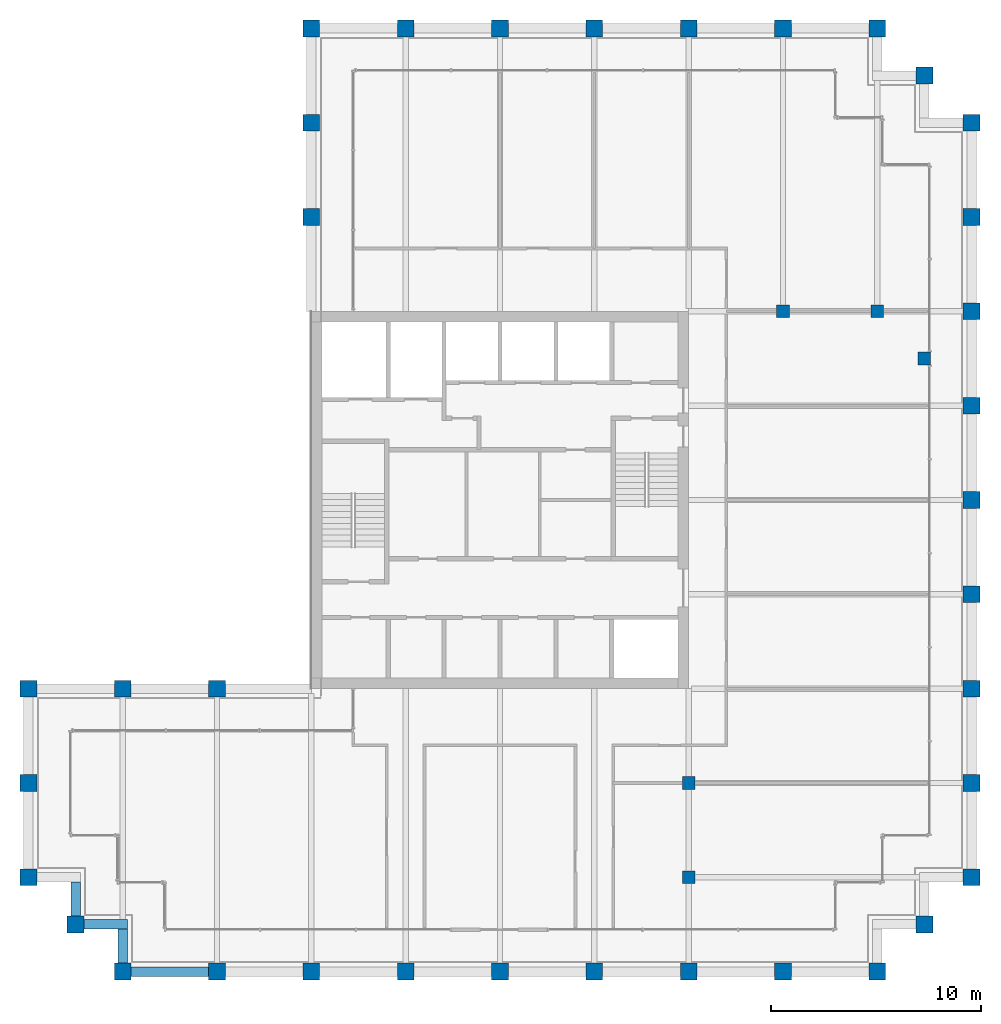
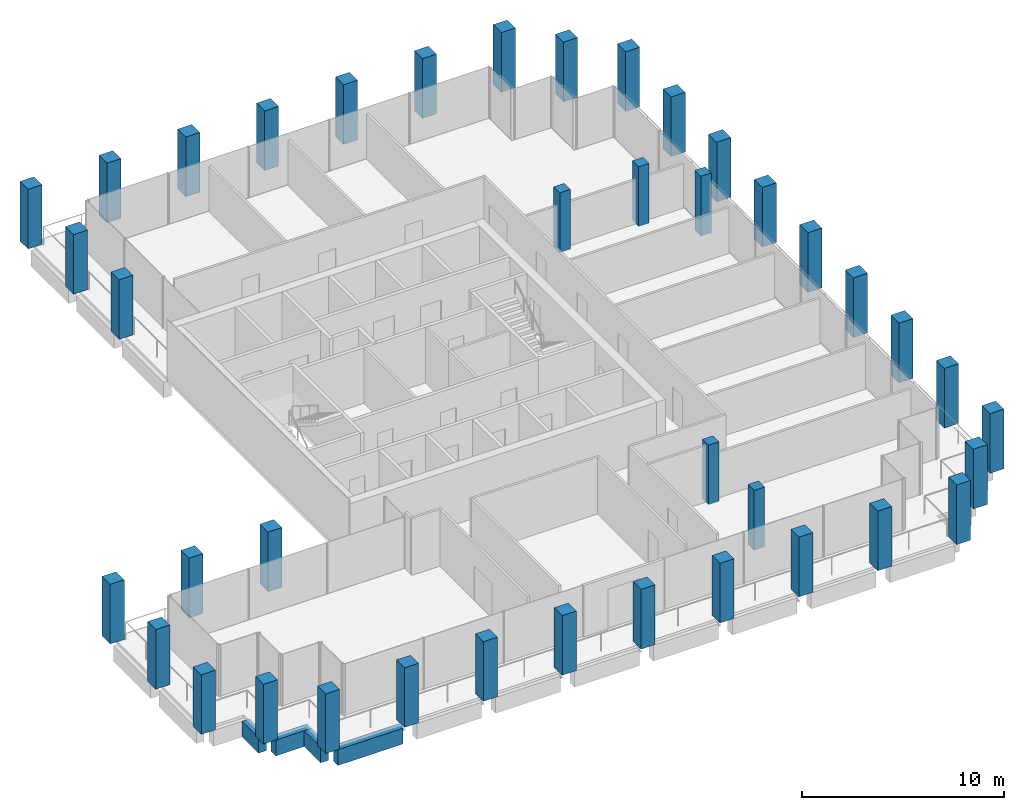
# One storey, part 1 of 30: 40 columns, 4 beams.
"""IFC4 building model written with IfcOpenShell, lengths in metres."""

from ifc_helpers import new_model, si_unit, direction, frame, origin, origin_2d, place, context, subcontext, project, spatial, rectangle, extrude, material, material_profile, profile_set, type_object, element, save


model = new_model("IFC4")

# Units and contexts
model_context = context("Model", 3, precision=1e-05, world=origin(), true_north=direction((0.0, 1.0)))
body_context = subcontext(model_context, "Body", "Model", "MODEL_VIEW")
ifc_project = project(units=[si_unit("LENGTHUNIT", "METRE"), si_unit("AREAUNIT", "SQUARE_METRE"), si_unit("VOLUMEUNIT", "CUBIC_METRE"), si_unit("PLANEANGLEUNIT", "RADIAN"), si_unit("MASSUNIT", "GRAM", prefix="KILO")], contexts=[model_context])

# Site, building, storey
site_placement = place(None, origin())
site = spatial("IfcSite", under=ifc_project, at=site_placement, CompositionType="ELEMENT")
building_placement = place(site_placement, origin())
building = spatial("IfcBuilding", under=site, at=building_placement, Name="Altepetl Exchange Towers", CompositionType="ELEMENT")
storey_placement = place(building_placement, frame((0.0, 0.0, 213.60009765625)))
storey = spatial("IfcBuildingStorey", under=building, at=storey_placement, Name="L54", CompositionType="ELEMENT", Elevation=213.60009765625)

# Columns
ifc_material_1 = material(Name="Concrete C70/85", Category="concrete")
ifc_material_profile_1 = material_profile(ifc_material_1, rectangle(XDim=0.60009765625, YDim=0.60009765625, at=origin_2d()), Name="600 x 600")
ifc_profile_set_1 = profile_set([ifc_material_profile_1], Name="Concrete C70/85")
column_type_1 = type_object("IfcColumnType", Name="Interior column 600", PredefinedType="COLUMN", material=ifc_profile_set_1)
for number, where, name in (
    (1, (58.5, 31.5, 0.0), "col:A:L54:035"),
    (2, (58.5, 36.0, 0.0), "col:A:L54:036"),
    (3, (63.0, 58.5, 0.0), "col:A:L54:037"),
    (4, (67.5, 58.5, 0.0), "col:A:L54:038"),
    (5, (69.75, 56.25, 0.0), "col:A:L54:039"),
):
    element("IfcColumn", number, at=place(storey_placement, frame(where)), inside=storey, type_object=column_type_1, Name=name, PredefinedType="COLUMN", context=body_context, shape_type="SweptSolid", body=[
        extrude(rectangle(XDim=0.60009765625, YDim=0.60009765625, at=origin_2d()), origin(), (0.0, 0.0, 1.0), 3.599853515625),
    ])
ifc_material_2 = material(Name="Concrete C70/85 precast with cantera amarilla facing", Category="concrete")
ifc_material_profile_2 = material_profile(ifc_material_2, rectangle(XDim=0.800048828125, YDim=0.800048828125, at=origin_2d()), Name="800 x 800")
ifc_profile_set_2 = profile_set([ifc_material_profile_2], Name="Concrete C70/85 precast with cantera amarilla facing")
column_type_2 = type_object("IfcColumnType", Name="Perimeter column 800 cantera amarilla", PredefinedType="COLUMN", material=ifc_profile_set_2)
for number, where, name in (
    (6, (58.5, 27.0, 0.0), "col:A:L54:006"),
    (7, (63.0, 27.0, 0.0), "col:A:L54:007"),
    (8, (67.5, 27.0, 0.0), "col:A:L54:008"),
    (9, (69.75, 29.25, 0.0), "col:A:L54:009"),
    (10, (72.0, 31.5, 0.0), "col:A:L54:010"),
    (11, (72.0, 36.0, 0.0), "col:A:L54:011"),
    (12, (72.0, 40.5, 0.0), "col:A:L54:012"),
    (13, (72.0, 45.0, 0.0), "col:A:L54:013"),
    (14, (72.0, 49.5, 0.0), "col:A:L54:014"),
    (15, (72.0, 54.0, 0.0), "col:A:L54:015"),
):
    element("IfcColumn", number, at=place(storey_placement, frame(where)), inside=storey, type_object=column_type_2, Name=name, PredefinedType="COLUMN", context=body_context, shape_type="SweptSolid", body=[
        extrude(rectangle(XDim=0.800048828125, YDim=0.800048828125, at=origin_2d()), origin(), (0.0, 0.0, 1.0), 3.599853515625),
    ])
ifc_material_3 = material(Name="Concrete C70/85 precast with cantera blanca facing", Category="concrete")
ifc_material_profile_3 = material_profile(ifc_material_3, rectangle(XDim=0.800048828125, YDim=0.800048828125, at=origin_2d()), Name="800 x 800")
ifc_profile_set_3 = profile_set([ifc_material_profile_3], Name="Concrete C70/85 precast with cantera blanca facing")
column_type_3 = type_object("IfcColumnType", Name="Perimeter column 800 cantera blanca", PredefinedType="COLUMN", material=ifc_profile_set_3)
for number, where, name in (
    (16, (31.5, 27.0, 0.0), "col:A:L54:000"),
    (17, (36.0, 27.0, 0.0), "col:A:L54:001"),
    (18, (40.5, 27.0, 0.0), "col:A:L54:002"),
    (19, (45.0, 27.0, 0.0), "col:A:L54:003"),
    (20, (49.5, 27.0, 0.0), "col:A:L54:004"),
    (21, (54.0, 27.0, 0.0), "col:A:L54:005"),
    (22, (27.0, 36.0, 0.0), "col:A:L54:032"),
    (23, (27.0, 31.5, 0.0), "col:A:L54:033"),
    (24, (29.25, 29.25, 0.0), "col:A:L54:034"),
):
    element("IfcColumn", number, at=place(storey_placement, frame(where)), inside=storey, type_object=column_type_3, Name=name, PredefinedType="COLUMN", context=body_context, shape_type="SweptSolid", body=[
        extrude(rectangle(XDim=0.800048828125, YDim=0.800048828125, at=origin_2d()), origin(), (0.0, 0.0, 1.0), 3.599853515625),
    ])
ifc_material_4 = material(Name="Concrete C70/85 precast with cantera rosa facing", Category="concrete")
ifc_material_profile_4 = material_profile(ifc_material_4, rectangle(XDim=0.800048828125, YDim=0.800048828125, at=origin_2d()), Name="800 x 800")
ifc_profile_set_4 = profile_set([ifc_material_profile_4], Name="Concrete C70/85 precast with cantera rosa facing")
column_type_4 = type_object("IfcColumnType", Name="Perimeter column 800 cantera rosa", PredefinedType="COLUMN", material=ifc_profile_set_4)
for number, where, name in (
    (25, (72.0, 58.5, 0.0), "col:A:L54:016"),
    (26, (72.0, 63.0, 0.0), "col:A:L54:017"),
    (27, (72.0, 67.5, 0.0), "col:A:L54:018"),
    (28, (69.75, 69.75, 0.0), "col:A:L54:019"),
    (29, (67.5, 72.0, 0.0), "col:A:L54:020"),
    (30, (63.0, 72.0, 0.0), "col:A:L54:021"),
    (31, (58.5, 72.0, 0.0), "col:A:L54:022"),
    (32, (54.0, 72.0, 0.0), "col:A:L54:023"),
    (33, (49.5, 72.0, 0.0), "col:A:L54:024"),
    (34, (45.0, 72.0, 0.0), "col:A:L54:025"),
):
    element("IfcColumn", number, at=place(storey_placement, frame(where)), inside=storey, type_object=column_type_4, Name=name, PredefinedType="COLUMN", context=body_context, shape_type="SweptSolid", body=[
        extrude(rectangle(XDim=0.800048828125, YDim=0.800048828125, at=origin_2d()), origin(), (0.0, 0.0, 1.0), 3.599853515625),
    ])
ifc_material_5 = material(Name="Concrete C70/85 precast with tezontle facing", Category="concrete")
ifc_material_profile_5 = material_profile(ifc_material_5, rectangle(XDim=0.800048828125, YDim=0.800048828125, at=origin_2d()), Name="800 x 800")
ifc_profile_set_5 = profile_set([ifc_material_profile_5], Name="Concrete C70/85 precast with tezontle facing")
column_type_5 = type_object("IfcColumnType", Name="Perimeter column 800 tezontle", PredefinedType="COLUMN", material=ifc_profile_set_5)
for number, where, name in (
    (35, (40.5, 72.0, 0.0), "col:A:L54:026"),
    (36, (40.5, 67.5, 0.0), "col:A:L54:027"),
    (37, (40.5, 63.0, 0.0), "col:A:L54:028"),
    (38, (36.0, 40.5, 0.0), "col:A:L54:029"),
    (39, (31.5, 40.5, 0.0), "col:A:L54:030"),
    (40, (27.0, 40.5, 0.0), "col:A:L54:031"),
):
    element("IfcColumn", number, at=place(storey_placement, frame(where)), inside=storey, type_object=column_type_5, Name=name, PredefinedType="COLUMN", context=body_context, shape_type="SweptSolid", body=[
        extrude(rectangle(XDim=0.800048828125, YDim=0.800048828125, at=origin_2d()), origin(), (0.0, 0.0, 1.0), 3.599853515625),
    ])

# Beams
ifc_material_6 = material(Name="Concrete C50/60 precast with cantera blanca facing", Category="concrete")
ifc_material_profile_6 = material_profile(ifc_material_6, rectangle(XDim=0.449951171875, YDim=0.949951171875, at=origin_2d()), Name="450 x 950")
ifc_profile_set_6 = profile_set([ifc_material_profile_6], Name="Concrete C50/60 precast with cantera blanca facing")
beam_type = type_object("IfcBeamType", Name="Spandrel beam 450x950 cantera blanca", PredefinedType="SPANDREL", material=ifc_profile_set_6)
beam_1_placement = place(storey_placement, frame((31.89990234375, 27.0, -0.625), z_axis=(1.0, 0.0, 0.0), x_axis=(0.0, 1.0, 0.0)))
element("IfcBeam", 41, at=beam_1_placement, inside=storey, type_object=beam_type, Name="sp:A:L54:000", PredefinedType="SPANDREL", context=body_context, shape_type="SweptSolid", body=[
    extrude(rectangle(XDim=0.449951171875, YDim=0.949951171875, at=origin_2d()), origin(), (0.0, 0.0, 1.0), 3.7001953125),
])
beam_2_placement = place(storey_placement, frame((29.25, 31.27490234375, -0.625), z_axis=(0.0, -1.0, 0.0), x_axis=(1.0, 0.0, 0.0)))
element("IfcBeam", 42, at=beam_2_placement, inside=storey, type_object=beam_type, Name="sp:A:L54:039", PredefinedType="SPANDREL", context=body_context, shape_type="SweptSolid", body=[
    extrude(rectangle(XDim=0.449951171875, YDim=0.949951171875, at=origin_2d()), origin(), (0.0, 0.0, 1.0), 1.625),
])
beam_3_placement = place(storey_placement, frame((29.64990234375, 29.25, -0.625), z_axis=(1.0, 0.0, 0.0), x_axis=(0.0, 1.0, 0.0)))
element("IfcBeam", 43, at=beam_3_placement, inside=storey, type_object=beam_type, Name="sp:A:L54:040", PredefinedType="SPANDREL", context=body_context, shape_type="SweptSolid", body=[
    extrude(rectangle(XDim=0.449951171875, YDim=0.949951171875, at=origin_2d()), origin(), (0.0, 0.0, 1.0), 2.0751953125),
])
beam_4_placement = place(storey_placement, frame((31.5, 29.02490234375, -0.625), z_axis=(0.0, -1.0, 0.0), x_axis=(1.0, 0.0, 0.0)))
element("IfcBeam", 44, at=beam_4_placement, inside=storey, type_object=beam_type, Name="sp:A:L54:041", PredefinedType="SPANDREL", context=body_context, shape_type="SweptSolid", body=[
    extrude(rectangle(XDim=0.449951171875, YDim=0.949951171875, at=origin_2d()), origin(), (0.0, 0.0, 1.0), 1.625),
])

save(model, "model.ifc")
